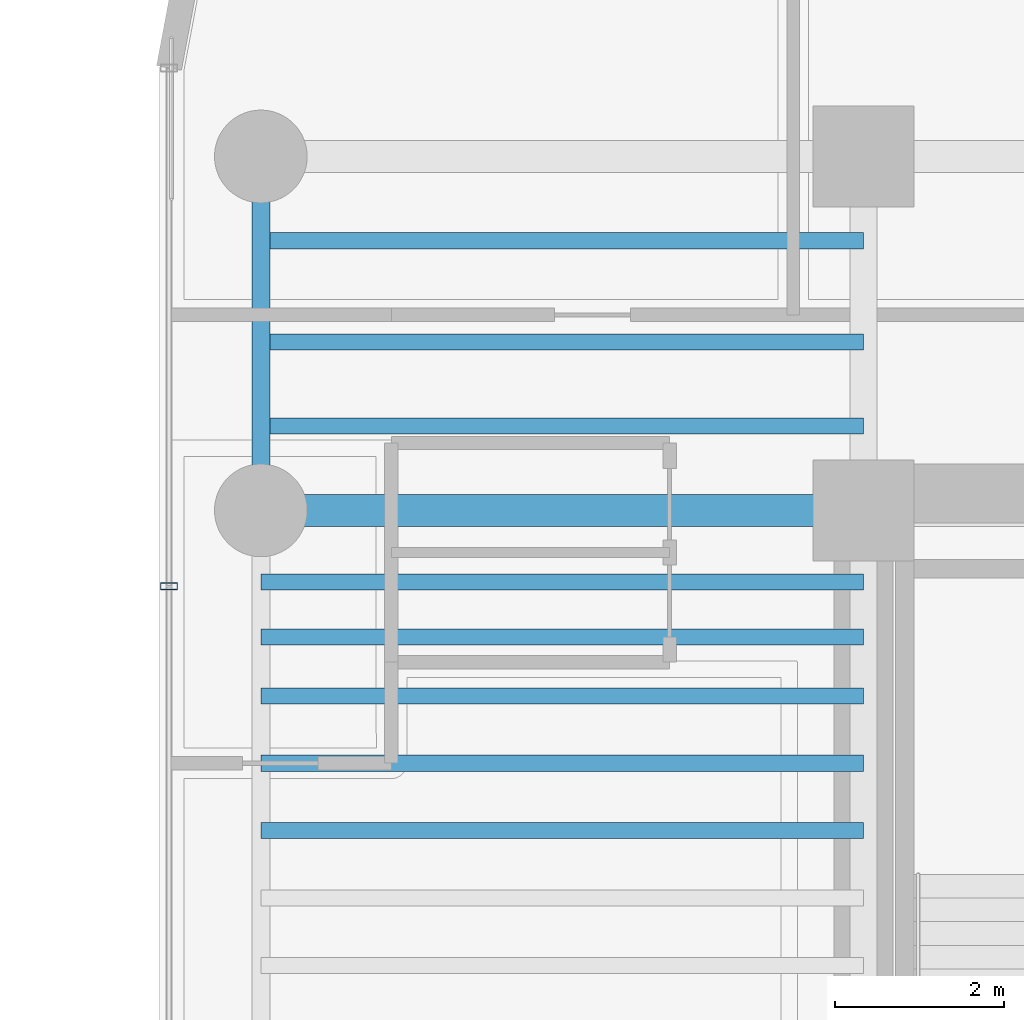
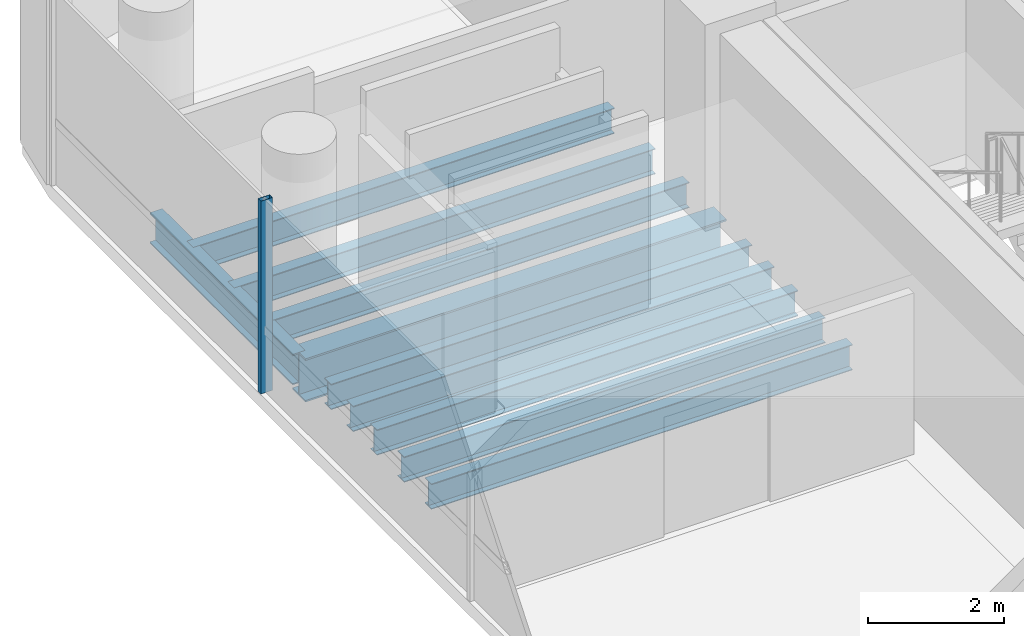
# One storey, part 9 of 37: 10 beams, 1 member, 1 element without a shape of its own.
"""IFC4 building model written with IfcOpenShell, lengths in metres."""

from ifc_helpers import new_model, si_unit, direction, frame, origin, origin_2d, place, context, subcontext, project, spatial, hollow_rectangle, i_section, extrude, source, transform, mapped, material, material_profile, profile_set, type_object, element, aggregate, save


model = new_model("IFC4")

# Units and contexts
model_context = context("Model", 3, precision=1e-05, world=origin(), true_north=direction((0.0, 1.0)))
body_context = subcontext(model_context, "Body", "Model", "MODEL_VIEW")
ifc_project = project(units=[si_unit("LENGTHUNIT", "METRE"), si_unit("AREAUNIT", "SQUARE_METRE"), si_unit("VOLUMEUNIT", "CUBIC_METRE"), si_unit("PLANEANGLEUNIT", "RADIAN"), si_unit("MASSUNIT", "GRAM", prefix="KILO")], contexts=[model_context])

# Site, building, storey
site_placement = place(None, origin())
site = spatial("IfcSite", under=ifc_project, at=site_placement, CompositionType="ELEMENT")
building_placement = place(site_placement, origin())
building = spatial("IfcBuilding", under=site, at=building_placement, Name="Valdorenza Pilgrim Sanctuary Tower", CompositionType="ELEMENT")
storey_placement = place(building_placement, frame((0.0, 0.0, 135.300048828125)))
storey = spatial("IfcBuildingStorey", under=building, at=storey_placement, Name="L34", CompositionType="ELEMENT", Elevation=135.300048828125)

# Beams
ifc_material_1 = material(Name="Steel ASTM A992 Grade 50", Category="steel")
ifc_material_profile_1 = material_profile(ifc_material_1, i_section(OverallWidth=0.214111328125, OverallDepth=0.549072265625, WebThickness=0.0146484375, FlangeThickness=0.023681640625, at=origin_2d()), Name="W21X93")
ifc_profile_set_1 = profile_set([ifc_material_profile_1], Name="Steel ASTM A992 Grade 50")
beam_type_1 = type_object("IfcBeamType", Name="STR-BM-SPN-W21A", PredefinedType="SPANDREL", material=ifc_profile_set_1)
shared_shape_1 = source(origin(), body_context, "Body", "SweptSolid", [
    extrude(i_section(OverallWidth=0.214111328125, OverallDepth=0.549072265625, WebThickness=0.0146484375, FlangeThickness=0.023681640625, at=origin_2d()), origin(), (0.0, 0.0, 1.0), 4.199951171875),
])
beam_1_placement = place(storey_placement, frame((-29.800048828125, 10.60009765625, -0.5146484375), z_axis=(0.0, 1.0, 0.0), x_axis=(-1.0, 0.0, 0.0)))
element("IfcBeam", 1, at=beam_1_placement, inside=storey, type_object=beam_type_1, Name="L34 Spandrel Beam WA-W-N1N2", PredefinedType="SPANDREL", context=body_context, shape_type="MappedRepresentation", body=[
    mapped(shared_shape_1, transform((0.0, 0.0, 0.0), x_axis=(1.0, 0.0, 0.0), y_axis=(0.0, 1.0, 0.0), z_axis=(0.0, 0.0, 1.0), scale=1.0)),
])
ifc_material_profile_2 = material_profile(ifc_material_1, i_section(OverallWidth=0.382080078125, OverallDepth=0.779052734375, WebThickness=0.01806640625, FlangeThickness=0.030029296875, at=origin_2d()), Name="W30X191")
ifc_profile_set_2 = profile_set([ifc_material_profile_2], Name="Steel ASTM A992 Grade 50")
beam_type_2 = type_object("IfcBeamType", Name="STR-BM-GRD-W30", PredefinedType="BEAM", material=ifc_profile_set_2)
shared_shape_2 = source(origin(), body_context, "Body", "SweptSolid", [
    extrude(i_section(OverallWidth=0.382080078125, OverallDepth=0.779052734375, WebThickness=0.01806640625, FlangeThickness=0.030029296875, at=origin_2d()), origin(), (0.0, 0.0, 1.0), 7.150146484375),
])
beam_2_placement = place(storey_placement, frame((-29.800048828125, 10.60009765625, -0.629638671875), z_axis=(1.0, 0.0, 0.0), x_axis=(0.0, 1.0, 0.0)))
element("IfcBeam", 2, at=beam_2_placement, inside=storey, type_object=beam_type_2, Name="L34 Floor Girder WA-XW-N1", PredefinedType="BEAM", context=body_context, shape_type="MappedRepresentation", body=[
    mapped(shared_shape_2, transform((0.0, 0.0, 0.0), x_axis=(1.0, 0.0, 0.0), y_axis=(0.0, 1.0, 0.0), z_axis=(0.0, 0.0, 1.0), scale=1.0)),
])
ifc_material_profile_3 = material_profile(ifc_material_1, i_section(OverallWidth=0.19091796875, OverallDepth=0.45703125, WebThickness=0.009033203125, FlangeThickness=0.014404296875, at=origin_2d()), Name="W18X50")
ifc_profile_set_3 = profile_set([ifc_material_profile_3], Name="Steel ASTM A992 Grade 50")
beam_type_3 = type_object("IfcBeamType", Name="STR-BM-JST-W18B", PredefinedType="JOIST", material=ifc_profile_set_3)
shared_shape_3 = source(origin(), body_context, "Body", "SweptSolid", [
    extrude(i_section(OverallWidth=0.19091796875, OverallDepth=0.45703125, WebThickness=0.009033203125, FlangeThickness=0.014404296875, at=origin_2d()), origin(), (0.0, 0.0, 1.0), 7.150146484375),
])
for number, where, z_axis, x_axis, name in (
    (3, (-29.800048828125, 6.800048828125, -0.468505859375), (1.0, 0.0, 0.0), (0.0, 1.0, 0.0), "L34 Composite Floor Joist JST-WA-19"),
    (4, (-29.800048828125, 7.60009765625, -0.468505859375), (1.0, 0.0, 0.0), (0.0, 1.0, 0.0), "L34 Composite Floor Joist JST-WA-20"),
    (5, (-29.800048828125, 8.39990234375, -0.468505859375), (1.0, 0.0, 0.0), (0.0, 1.0, 0.0), "L34 Composite Floor Joist JST-WA-21"),
    (6, (-29.800048828125, 9.10009765625, -0.468505859375), (1.0, 0.0, 0.0), (0.0, 1.0, 0.0), "L34 Composite Floor Joist JST-WA-22"),
    (7, (-29.800048828125, 9.75, -0.468505859375), (1.0, 0.0, 0.0), (0.0, 1.0, 0.0), "L34 Composite Floor Joist JST-WA-23"),
    (8, (-29.800048828125, 11.60009765625, -0.468505859375), (1.0, 0.0, 0.0), (0.0, 1.0, 0.0), "L34 Composite Floor Joist JST-WA-24"),
    (9, (-29.800048828125, 12.60009765625, -0.468505859375), (1.0, 0.0, 0.0), (0.0, 1.0, 0.0), "L34 Composite Floor Joist JST-WA-25"),
    (10, (-29.800048828125, 13.800048828125, -0.468505859375), (1.0, 0.0, 0.0), (0.0, 1.0, 0.0), "L34 Composite Floor Joist JST-WA-26"),
):
    element("IfcBeam", number, at=place(storey_placement, frame(where, z_axis=z_axis, x_axis=x_axis)), inside=storey, type_object=beam_type_3, Name=name, PredefinedType="JOIST", context=body_context, shape_type="MappedRepresentation", body=[
        mapped(shared_shape_3, transform((0.0, 0.0, 0.0), x_axis=(1.0, 0.0, 0.0), y_axis=(0.0, 1.0, 0.0), z_axis=(0.0, 0.0, 1.0), scale=1.0)),
    ])

# Curtain wall, member
ifc_material_2 = material(Name="Curtain-wall IGU glazing", Category="glass")
curtain_wall_type = type_object("IfcCurtainWallType", Name="CW-SYS-02", PredefinedType="NOTDEFINED", material=ifc_material_2)
curtain_wall_placement = place(storey_placement, origin())
curtain_wall = element("IfcCurtainWall", 11, at=curtain_wall_placement, inside=storey, type_object=curtain_wall_type, Name="L34 Curtain Wall CW-L34-1-1S2", PredefinedType="NOTDEFINED")
ifc_material_3 = material(Name="Anodised aluminium AW-6060", Category="aluminium")
ifc_material_profile_4 = material_profile(ifc_material_3, hollow_rectangle(XDim=0.0849609375, YDim=0.199951171875, WallThickness=0.0048828125, at=origin_2d()), Name="ALU-M 200x85x5")
ifc_profile_set_4 = profile_set([ifc_material_profile_4], Name="Anodised aluminium AW-6060")
member_type = type_object("IfcMemberType", Name="CW-MUL-02", PredefinedType="MULLION", material=ifc_profile_set_4)
shared_shape_4 = source(origin(), body_context, "Body", "SweptSolid", [
    extrude(hollow_rectangle(XDim=0.0849609375, YDim=0.199951171875, WallThickness=0.0048828125, at=origin_2d()), origin(), (0.0, 0.0, 1.0), 3.4599609375),
])
member_placement = place(storey_placement, frame((-30.889892578125, 9.7001953125, 0.0), z_axis=(0.0, 0.0, 1.0), x_axis=(0.0, 1.0, 0.0)))
member = element("IfcMember", 12, at=member_placement, type_object=member_type, Name="CW-L34-1-1S2 Mullion 3", PredefinedType="MULLION", context=body_context, shape_type="MappedRepresentation", body=[
    mapped(shared_shape_4, transform((0.0, 0.0, 0.0), x_axis=(1.0, 0.0, 0.0), y_axis=(0.0, 1.0, 0.0), z_axis=(0.0, 0.0, 1.0), scale=1.0)),
])
aggregate(curtain_wall, [member])

save(model, "model.ifc")
